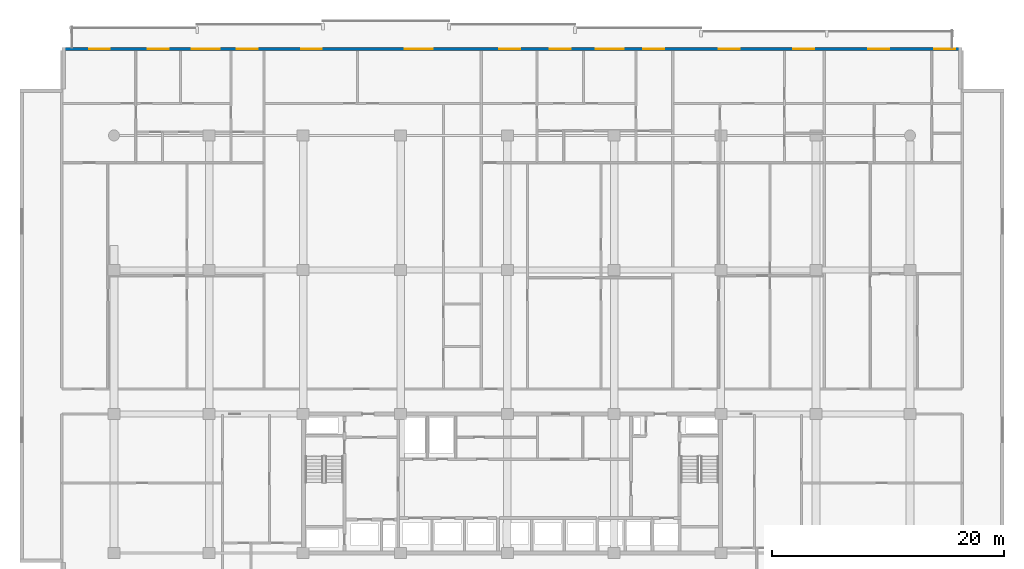
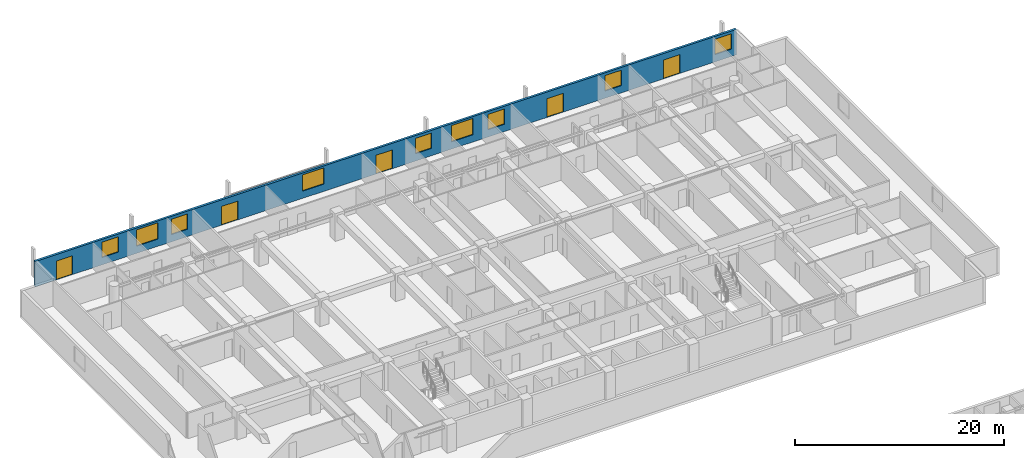
# One storey, part 16 of 23: 9 windows, 5 doors, 1 wall, 14 openings.
"""IFC4 building model written with IfcOpenShell, lengths in metres."""

from ifc_helpers import new_model, si_unit, direction, frame, frame_2d, origin, place, context, subcontext, project, spatial, rectangle, extrude, material, layer, layer_set, type_object, element, fill, save


model = new_model("IFC4")

# Units and contexts
model_context = context("Model", 3, precision=1e-05, world=origin(), true_north=direction((0.0, 1.0)))
body_context = subcontext(model_context, "Body", "Model", "MODEL_VIEW")
ifc_project = project(units=[si_unit("LENGTHUNIT", "METRE"), si_unit("AREAUNIT", "SQUARE_METRE"), si_unit("VOLUMEUNIT", "CUBIC_METRE"), si_unit("PLANEANGLEUNIT", "RADIAN"), si_unit("MASSUNIT", "GRAM", prefix="KILO")], contexts=[model_context])

# Site, building, storey
site_placement = place(None, origin())
site = spatial("IfcSite", under=ifc_project, at=site_placement, CompositionType="ELEMENT")
building_placement = place(site_placement, origin())
building = spatial("IfcBuilding", under=site, at=building_placement, Name="Korimba Cascade Residences", CompositionType="ELEMENT")
storey_placement = place(building_placement, frame((0.0, 0.0, 72.75)))
storey = spatial("IfcBuildingStorey", under=building, at=storey_placement, Name="L20", CompositionType="ELEMENT", Elevation=72.75)

# Wall, openings, doors, windows
ifc_material_1 = material(Name="Precast concrete C40/50", Category="concrete")
ifc_layer = layer(ifc_material_1, 0.25)
ifc_layer_set = layer_set([ifc_layer], Name="Precast concrete C40/50")
wall_type = type_object("IfcWallType", Name="EW-LOG-250", PredefinedType="STANDARD", material=ifc_layer_set)
wall_placement = place(storey_placement, frame((132.89990234375, 98.64990234375, 0.0), z_axis=(0.0, 0.0, 1.0), x_axis=(-1.0, 0.0, 0.0)))
wall = element("IfcWall", 1, at=wall_placement, inside=storey, type_object=wall_type, Name="L20 T1 Perimeter Stone Wall E06", PredefinedType="STANDARD", context=body_context, shape_type="SweptSolid", body=[
    extrude(rectangle(XDim=77.599853515625, YDim=0.25, at=frame_2d((38.7998046875, 0.0))), origin(), (0.0, 0.0, 1.0), 2.969970703125),
])
opening_1_placement = place(wall_placement, frame((68.39501953125, 0.0, 0.85009765625)))
opening_1 = element("IfcOpeningElement", 2, at=opening_1_placement, cuts=wall, Name="Opening W-02", PredefinedType="OPENING", context=body_context, shape_type="SweptSolid", body=[
    extrude(rectangle(XDim=1.800048828125, YDim=1.800048828125, at=frame_2d((0.89990234375, 0.89990234375))), frame((0.0, 0.135009765625, 0.0), z_axis=(0.0, -1.0, 0.0), x_axis=(1.0, 0.0, 0.0)), (0.0, 0.0, 1.0), 0.27001953125),
])
opening_2_placement = place(wall_placement, frame((63.9951171875, 0.0, 0.85009765625)))
opening_2 = element("IfcOpeningElement", 3, at=opening_2_placement, cuts=wall, Name="Opening W-01", PredefinedType="OPENING", context=body_context, shape_type="SweptSolid", body=[
    extrude(rectangle(XDim=2.39990234375, YDim=1.89990234375, at=frame_2d((1.199951171875, 0.949951171875))), frame((0.0, 0.135009765625, 0.0), z_axis=(0.0, -1.0, 0.0), x_axis=(1.0, 0.0, 0.0)), (0.0, 0.0, 1.0), 0.27001953125),
])
opening_3_placement = place(wall_placement, frame((73.449951171875, 0.0, 0.0)))
opening_3 = element("IfcOpeningElement", 4, at=opening_3_placement, cuts=wall, Name="Opening D-LG1", PredefinedType="OPENING", context=body_context, shape_type="SweptSolid", body=[
    extrude(rectangle(XDim=1.800048828125, YDim=2.199951171875, at=frame_2d((0.89990234375, 1.10009765625))), frame((0.0, 0.135009765625, 0.0), z_axis=(0.0, -1.0, 0.0), x_axis=(1.0, 0.0, 0.0)), (0.0, 0.0, 1.0), 0.27001953125),
])
opening_4_placement = place(wall_placement, frame((60.727783203125, 0.0, 0.85009765625)))
opening_4 = element("IfcOpeningElement", 5, at=opening_4_placement, cuts=wall, Name="Opening W-02", PredefinedType="OPENING", context=body_context, shape_type="SweptSolid", body=[
    extrude(rectangle(XDim=1.800048828125, YDim=1.800048828125, at=frame_2d((0.89990234375, 0.89990234375))), frame((0.0, 0.135009765625, 0.0), z_axis=(0.0, -1.0, 0.0), x_axis=(1.0, 0.0, 0.0)), (0.0, 0.0, 1.0), 0.27001953125),
])
opening_5_placement = place(wall_placement, frame((55.1767578125, 0.0, 0.0)))
opening_5 = element("IfcOpeningElement", 6, at=opening_5_placement, cuts=wall, Name="Opening D-LG1", PredefinedType="OPENING", context=body_context, shape_type="SweptSolid", body=[
    extrude(rectangle(XDim=1.800048828125, YDim=2.199951171875, at=frame_2d((0.89990234375, 1.10009765625))), frame((0.0, 0.135009765625, 0.0), z_axis=(0.0, -1.0, 0.0), x_axis=(1.0, 0.0, 0.0)), (0.0, 0.0, 1.0), 0.27001953125),
])
opening_6_placement = place(wall_placement, frame((45.63330078125, 0.0, 0.85009765625)))
opening_6 = element("IfcOpeningElement", 7, at=opening_6_placement, cuts=wall, Name="Opening W-01", PredefinedType="OPENING", context=body_context, shape_type="SweptSolid", body=[
    extrude(rectangle(XDim=2.39990234375, YDim=1.89990234375, at=frame_2d((1.199951171875, 0.949951171875))), frame((0.0, 0.135009765625, 0.0), z_axis=(0.0, -1.0, 0.0), x_axis=(1.0, 0.0, 0.0)), (0.0, 0.0, 1.0), 0.27001953125),
])
opening_7_placement = place(wall_placement, frame((33.74169921875, 0.0, 0.85009765625)))
opening_7 = element("IfcOpeningElement", 8, at=opening_7_placement, cuts=wall, Name="Opening W-02", PredefinedType="OPENING", context=body_context, shape_type="SweptSolid", body=[
    extrude(rectangle(XDim=1.800048828125, YDim=1.800048828125, at=frame_2d((0.89990234375, 0.89990234375))), frame((0.0, 0.135009765625, 0.0), z_axis=(0.0, -1.0, 0.0), x_axis=(1.0, 0.0, 0.0)), (0.0, 0.0, 1.0), 0.27001953125),
])
opening_8_placement = place(wall_placement, frame((29.17724609375, 0.0, 0.85009765625)))
opening_8 = element("IfcOpeningElement", 9, at=opening_8_placement, cuts=wall, Name="Opening W-01", PredefinedType="OPENING", context=body_context, shape_type="SweptSolid", body=[
    extrude(rectangle(XDim=2.39990234375, YDim=1.89990234375, at=frame_2d((1.199951171875, 0.949951171875))), frame((0.0, 0.135009765625, 0.0), z_axis=(0.0, -1.0, 0.0), x_axis=(1.0, 0.0, 0.0)), (0.0, 0.0, 1.0), 0.27001953125),
])
opening_9_placement = place(wall_placement, frame((38.083984375, 0.0, 0.0)))
opening_9 = element("IfcOpeningElement", 10, at=opening_9_placement, cuts=wall, Name="Opening D-LG1", PredefinedType="OPENING", context=body_context, shape_type="SweptSolid", body=[
    extrude(rectangle(XDim=1.800048828125, YDim=2.199951171875, at=frame_2d((0.89990234375, 1.10009765625))), frame((0.0, 0.135009765625, 0.0), z_axis=(0.0, -1.0, 0.0), x_axis=(1.0, 0.0, 0.0)), (0.0, 0.0, 1.0), 0.27001953125),
])
opening_10_placement = place(wall_placement, frame((25.69580078125, 0.0, 0.85009765625)))
opening_10 = element("IfcOpeningElement", 11, at=opening_10_placement, cuts=wall, Name="Opening W-02", PredefinedType="OPENING", context=body_context, shape_type="SweptSolid", body=[
    extrude(rectangle(XDim=1.800048828125, YDim=1.800048828125, at=frame_2d((0.89990234375, 0.89990234375))), frame((0.0, 0.135009765625, 0.0), z_axis=(0.0, -1.0, 0.0), x_axis=(1.0, 0.0, 0.0)), (0.0, 0.0, 1.0), 0.27001953125),
])
opening_11_placement = place(wall_placement, frame((19.177001953125, 0.0, 0.0)))
opening_11 = element("IfcOpeningElement", 12, at=opening_11_placement, cuts=wall, Name="Opening D-LG1", PredefinedType="OPENING", context=body_context, shape_type="SweptSolid", body=[
    extrude(rectangle(XDim=1.800048828125, YDim=2.199951171875, at=frame_2d((0.89990234375, 1.10009765625))), frame((0.0, 0.135009765625, 0.0), z_axis=(0.0, -1.0, 0.0), x_axis=(1.0, 0.0, 0.0)), (0.0, 0.0, 1.0), 0.27001953125),
])
opening_12_placement = place(wall_placement, frame((12.7724609375, 0.0, 0.85009765625)))
opening_12 = element("IfcOpeningElement", 13, at=opening_12_placement, cuts=wall, Name="Opening W-02", PredefinedType="OPENING", context=body_context, shape_type="SweptSolid", body=[
    extrude(rectangle(XDim=1.800048828125, YDim=1.800048828125, at=frame_2d((0.89990234375, 0.89990234375))), frame((0.0, 0.135009765625, 0.0), z_axis=(0.0, -1.0, 0.0), x_axis=(1.0, 0.0, 0.0)), (0.0, 0.0, 1.0), 0.27001953125),
])
opening_13_placement = place(wall_placement, frame((6.30126953125, 0.0, 0.0)))
opening_13 = element("IfcOpeningElement", 14, at=opening_13_placement, cuts=wall, Name="Opening D-LG1", PredefinedType="OPENING", context=body_context, shape_type="SweptSolid", body=[
    extrude(rectangle(XDim=1.800048828125, YDim=2.199951171875, at=frame_2d((0.89990234375, 1.10009765625))), frame((0.0, 0.135009765625, 0.0), z_axis=(0.0, -1.0, 0.0), x_axis=(1.0, 0.0, 0.0)), (0.0, 0.0, 1.0), 0.27001953125),
])
opening_14_placement = place(wall_placement, frame((0.60009765625, 0.0, 0.85009765625)))
opening_14 = element("IfcOpeningElement", 15, at=opening_14_placement, cuts=wall, Name="Opening W-02", PredefinedType="OPENING", context=body_context, shape_type="SweptSolid", body=[
    extrude(rectangle(XDim=1.800048828125, YDim=1.800048828125, at=frame_2d((0.89990234375, 0.89990234375))), frame((0.0, 0.135009765625, 0.0), z_axis=(0.0, -1.0, 0.0), x_axis=(1.0, 0.0, 0.0)), (0.0, 0.0, 1.0), 0.27001953125),
])
ifc_material_2 = material(Name="Glazed Aluminium Loggia Sliding Door", Category="aluminium")
door_type = type_object("IfcDoorType", Name="DR-EXT-LOG", OperationType="NOTDEFINED", PredefinedType="DOOR", material=ifc_material_2)
door_1_placement = place(opening_3_placement, origin())
door_1 = element("IfcDoor", 16, at=door_1_placement, inside=storey, type_object=door_type, Name="L20 T1 Loggia Sliding Door 5", OperationType="SLIDING_TO_LEFT", OverallHeight=2.199951171875, OverallWidth=1.800048828125, PredefinedType="DOOR", context=body_context, shape_type="SweptSolid", body=[
    extrude(rectangle(XDim=1.800048828125, YDim=2.199951171875, at=frame_2d((0.89990234375, 1.10009765625))), frame((0.0, 0.02490234375, 0.0), z_axis=(0.0, -1.0, 0.0), x_axis=(1.0, 0.0, 0.0)), (0.0, 0.0, 1.0), 0.050048828125),
])
fill(opening_3, door_1)
door_2_placement = place(opening_5_placement, origin())
door_2 = element("IfcDoor", 17, at=door_2_placement, inside=storey, type_object=door_type, Name="L20 T1 Loggia Sliding Door 7", OperationType="SLIDING_TO_LEFT", OverallHeight=2.199951171875, OverallWidth=1.800048828125, PredefinedType="DOOR", context=body_context, shape_type="SweptSolid", body=[
    extrude(rectangle(XDim=1.800048828125, YDim=2.199951171875, at=frame_2d((0.89990234375, 1.10009765625))), frame((0.0, 0.02490234375, 0.0), z_axis=(0.0, -1.0, 0.0), x_axis=(1.0, 0.0, 0.0)), (0.0, 0.0, 1.0), 0.050048828125),
])
fill(opening_5, door_2)
door_3_placement = place(opening_9_placement, origin())
door_3 = element("IfcDoor", 18, at=door_3_placement, inside=storey, type_object=door_type, Name="L20 T1 Loggia Sliding Door 11", OperationType="SLIDING_TO_LEFT", OverallHeight=2.199951171875, OverallWidth=1.800048828125, PredefinedType="DOOR", context=body_context, shape_type="SweptSolid", body=[
    extrude(rectangle(XDim=1.800048828125, YDim=2.199951171875, at=frame_2d((0.89990234375, 1.10009765625))), frame((0.0, 0.02490234375, 0.0), z_axis=(0.0, -1.0, 0.0), x_axis=(1.0, 0.0, 0.0)), (0.0, 0.0, 1.0), 0.050048828125),
])
fill(opening_9, door_3)
door_4_placement = place(opening_11_placement, origin())
door_4 = element("IfcDoor", 19, at=door_4_placement, inside=storey, type_object=door_type, Name="L20 T1 Loggia Sliding Door 13", OperationType="SLIDING_TO_LEFT", OverallHeight=2.199951171875, OverallWidth=1.800048828125, PredefinedType="DOOR", context=body_context, shape_type="SweptSolid", body=[
    extrude(rectangle(XDim=1.800048828125, YDim=2.199951171875, at=frame_2d((0.89990234375, 1.10009765625))), frame((0.0, 0.02490234375, 0.0), z_axis=(0.0, -1.0, 0.0), x_axis=(1.0, 0.0, 0.0)), (0.0, 0.0, 1.0), 0.050048828125),
])
fill(opening_11, door_4)
door_5_placement = place(opening_13_placement, origin())
door_5 = element("IfcDoor", 20, at=door_5_placement, inside=storey, type_object=door_type, Name="L20 T1 Loggia Sliding Door 15", OperationType="SLIDING_TO_LEFT", OverallHeight=2.199951171875, OverallWidth=1.800048828125, PredefinedType="DOOR", context=body_context, shape_type="SweptSolid", body=[
    extrude(rectangle(XDim=1.800048828125, YDim=2.199951171875, at=frame_2d((0.89990234375, 1.10009765625))), frame((0.0, 0.02490234375, 0.0), z_axis=(0.0, -1.0, 0.0), x_axis=(1.0, 0.0, 0.0)), (0.0, 0.0, 1.0), 0.050048828125),
])
fill(opening_13, door_5)
ifc_material_3 = material(Name="Double-Glazed Aluminium Window", Category="aluminium")
window_type_1 = type_object("IfcWindowType", Name="WIN-BED-1800", PartitioningType="SINGLE_PANEL", PredefinedType="WINDOW", material=ifc_material_3)
window_1_placement = place(opening_1_placement, origin())
window_1 = element("IfcWindow", 21, at=window_1_placement, inside=storey, type_object=window_type_1, Name="L20 T1 North Facade Window 3", OverallHeight=1.800048828125, OverallWidth=1.800048828125, PartitioningType="SINGLE_PANEL", PredefinedType="WINDOW", context=body_context, shape_type="SweptSolid", body=[
    extrude(rectangle(XDim=1.800048828125, YDim=1.800048828125, at=frame_2d((0.89990234375, 0.89990234375))), frame((0.0, 0.030029296875, 0.0), z_axis=(0.0, -1.0, 0.0), x_axis=(1.0, 0.0, 0.0)), (0.0, 0.0, 1.0), 0.06005859375),
])
fill(opening_1, window_1)
window_2_placement = place(opening_4_placement, origin())
window_2 = element("IfcWindow", 22, at=window_2_placement, inside=storey, type_object=window_type_1, Name="L20 T1 North Facade Window 6", OverallHeight=1.800048828125, OverallWidth=1.800048828125, PartitioningType="SINGLE_PANEL", PredefinedType="WINDOW", context=body_context, shape_type="SweptSolid", body=[
    extrude(rectangle(XDim=1.800048828125, YDim=1.800048828125, at=frame_2d((0.89990234375, 0.89990234375))), frame((0.0, 0.030029296875, 0.0), z_axis=(0.0, -1.0, 0.0), x_axis=(1.0, 0.0, 0.0)), (0.0, 0.0, 1.0), 0.06005859375),
])
fill(opening_4, window_2)
window_3_placement = place(opening_7_placement, origin())
window_3 = element("IfcWindow", 23, at=window_3_placement, inside=storey, type_object=window_type_1, Name="L20 T1 North Facade Window 9", OverallHeight=1.800048828125, OverallWidth=1.800048828125, PartitioningType="SINGLE_PANEL", PredefinedType="WINDOW", context=body_context, shape_type="SweptSolid", body=[
    extrude(rectangle(XDim=1.800048828125, YDim=1.800048828125, at=frame_2d((0.89990234375, 0.89990234375))), frame((0.0, 0.030029296875, 0.0), z_axis=(0.0, -1.0, 0.0), x_axis=(1.0, 0.0, 0.0)), (0.0, 0.0, 1.0), 0.06005859375),
])
fill(opening_7, window_3)
window_4_placement = place(opening_10_placement, origin())
window_4 = element("IfcWindow", 24, at=window_4_placement, inside=storey, type_object=window_type_1, Name="L20 T1 North Facade Window 12", OverallHeight=1.800048828125, OverallWidth=1.800048828125, PartitioningType="SINGLE_PANEL", PredefinedType="WINDOW", context=body_context, shape_type="SweptSolid", body=[
    extrude(rectangle(XDim=1.800048828125, YDim=1.800048828125, at=frame_2d((0.89990234375, 0.89990234375))), frame((0.0, 0.030029296875, 0.0), z_axis=(0.0, -1.0, 0.0), x_axis=(1.0, 0.0, 0.0)), (0.0, 0.0, 1.0), 0.06005859375),
])
fill(opening_10, window_4)
window_5_placement = place(opening_12_placement, origin())
window_5 = element("IfcWindow", 25, at=window_5_placement, inside=storey, type_object=window_type_1, Name="L20 T1 North Facade Window 14", OverallHeight=1.800048828125, OverallWidth=1.800048828125, PartitioningType="SINGLE_PANEL", PredefinedType="WINDOW", context=body_context, shape_type="SweptSolid", body=[
    extrude(rectangle(XDim=1.800048828125, YDim=1.800048828125, at=frame_2d((0.89990234375, 0.89990234375))), frame((0.0, 0.030029296875, 0.0), z_axis=(0.0, -1.0, 0.0), x_axis=(1.0, 0.0, 0.0)), (0.0, 0.0, 1.0), 0.06005859375),
])
fill(opening_12, window_5)
window_6_placement = place(opening_14_placement, origin())
window_6 = element("IfcWindow", 26, at=window_6_placement, inside=storey, type_object=window_type_1, Name="L20 T1 North Facade Window 16", OverallHeight=1.800048828125, OverallWidth=1.800048828125, PartitioningType="SINGLE_PANEL", PredefinedType="WINDOW", context=body_context, shape_type="SweptSolid", body=[
    extrude(rectangle(XDim=1.800048828125, YDim=1.800048828125, at=frame_2d((0.89990234375, 0.89990234375))), frame((0.0, 0.030029296875, 0.0), z_axis=(0.0, -1.0, 0.0), x_axis=(1.0, 0.0, 0.0)), (0.0, 0.0, 1.0), 0.06005859375),
])
fill(opening_14, window_6)
window_type_2 = type_object("IfcWindowType", Name="WIN-RES-2400", PartitioningType="DOUBLE_PANEL_VERTICAL", PredefinedType="WINDOW", material=ifc_material_3)
window_7_placement = place(opening_2_placement, origin())
window_7 = element("IfcWindow", 27, at=window_7_placement, inside=storey, type_object=window_type_2, Name="L20 T1 North Facade Window 4", OverallHeight=1.89990234375, OverallWidth=2.39990234375, PartitioningType="DOUBLE_PANEL_VERTICAL", PredefinedType="WINDOW", context=body_context, shape_type="SweptSolid", body=[
    extrude(rectangle(XDim=2.39990234375, YDim=1.89990234375, at=frame_2d((1.199951171875, 0.949951171875))), frame((0.0, 0.030029296875, 0.0), z_axis=(0.0, -1.0, 0.0), x_axis=(1.0, 0.0, 0.0)), (0.0, 0.0, 1.0), 0.06005859375),
])
fill(opening_2, window_7)
window_8_placement = place(opening_6_placement, origin())
window_8 = element("IfcWindow", 28, at=window_8_placement, inside=storey, type_object=window_type_2, Name="L20 T1 North Facade Window 8", OverallHeight=1.89990234375, OverallWidth=2.39990234375, PartitioningType="DOUBLE_PANEL_VERTICAL", PredefinedType="WINDOW", context=body_context, shape_type="SweptSolid", body=[
    extrude(rectangle(XDim=2.39990234375, YDim=1.89990234375, at=frame_2d((1.199951171875, 0.949951171875))), frame((0.0, 0.030029296875, 0.0), z_axis=(0.0, -1.0, 0.0), x_axis=(1.0, 0.0, 0.0)), (0.0, 0.0, 1.0), 0.06005859375),
])
fill(opening_6, window_8)
window_9_placement = place(opening_8_placement, origin())
window_9 = element("IfcWindow", 29, at=window_9_placement, inside=storey, type_object=window_type_2, Name="L20 T1 North Facade Window 10", OverallHeight=1.89990234375, OverallWidth=2.39990234375, PartitioningType="DOUBLE_PANEL_VERTICAL", PredefinedType="WINDOW", context=body_context, shape_type="SweptSolid", body=[
    extrude(rectangle(XDim=2.39990234375, YDim=1.89990234375, at=frame_2d((1.199951171875, 0.949951171875))), frame((0.0, 0.030029296875, 0.0), z_axis=(0.0, -1.0, 0.0), x_axis=(1.0, 0.0, 0.0)), (0.0, 0.0, 1.0), 0.06005859375),
])
fill(opening_8, window_9)

save(model, "model.ifc")
